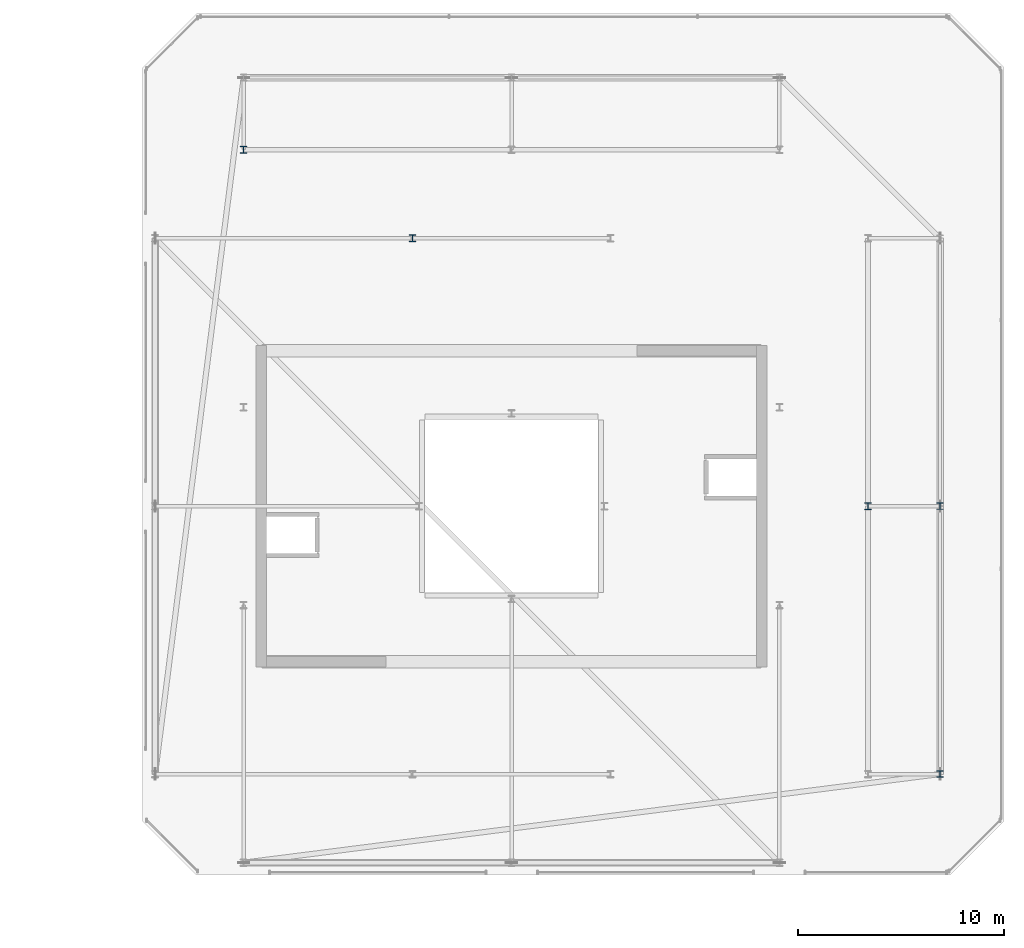
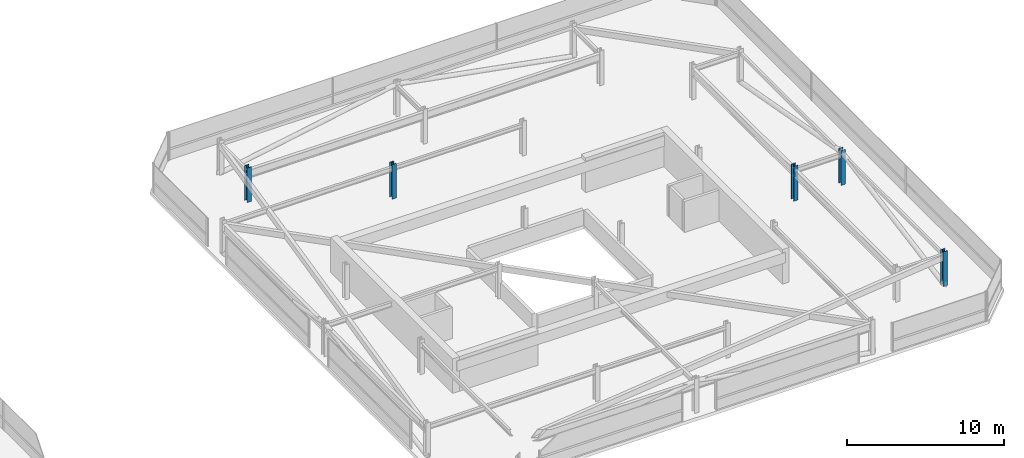
# One storey, part 5 of 42: 5 columns.
"""IFC4 building model written with IfcOpenShell, lengths in metres."""

from ifc_helpers import new_model, si_unit, direction, frame, origin, origin_2d, place, context, subcontext, project, spatial, i_section, extrude, material, material_profile, profile_set, type_object, element, save


model = new_model("IFC4")

# Units and contexts
model_context = context("Model", 3, precision=1e-05, world=origin(), true_north=direction((0.0, 1.0)))
body_context = subcontext(model_context, "Body", "Model", "MODEL_VIEW")
ifc_project = project(units=[si_unit("LENGTHUNIT", "METRE"), si_unit("AREAUNIT", "SQUARE_METRE"), si_unit("VOLUMEUNIT", "CUBIC_METRE"), si_unit("PLANEANGLEUNIT", "RADIAN"), si_unit("MASSUNIT", "GRAM", prefix="KILO")], contexts=[model_context])

# Site, building, storey
site_placement = place(None, origin())
site = spatial("IfcSite", under=ifc_project, at=site_placement, CompositionType="ELEMENT")
building_placement = place(site_placement, origin())
building = spatial("IfcBuilding", under=site, at=building_placement, Name="Thornwick Lancets Civic Towers", CompositionType="ELEMENT")
storey_placement = place(building_placement, frame((0.0, 0.0, 284.10009765625)))
storey = spatial("IfcBuildingStorey", under=building, at=storey_placement, Name="C02", CompositionType="ELEMENT", Elevation=284.10009765625)

# Columns
ifc_material = material(Name="Steel S355JR", Category="steel")
ifc_material_profile_1 = material_profile(ifc_material, i_section(OverallWidth=0.30908203125, OverallDepth=0.320556640625, WebThickness=0.013916015625, FlangeThickness=0.021728515625, FilletRadius=0.01513671875, at=origin_2d()), Name="UKC 305x305x137")
ifc_profile_set_1 = profile_set([ifc_material_profile_1], Name="Steel S355JR")
column_type_1 = type_object("IfcColumnType", Name="COL_UKC_137", PredefinedType="COLUMN", material=ifc_profile_set_1)
for number, where, z_axis, x_axis, name in (
    (1, (109.300048828125, 14.0, 0.0), (0.0, 0.0, 1.0), (1.0, 0.0, 0.0), "C02 Block Perimeter Column B01"),
    (2, (109.300048828125, 27.0, 0.0), (0.0, 0.0, 1.0), (1.0, 0.0, 0.0), "C02 Block Perimeter Column B02"),
):
    element("IfcColumn", number, at=place(storey_placement, frame(where, z_axis=z_axis, x_axis=x_axis)), inside=storey, type_object=column_type_1, Name=name, PredefinedType="COLUMN", context=body_context, shape_type="SweptSolid", body=[
        extrude(i_section(OverallWidth=0.30908203125, OverallDepth=0.320556640625, WebThickness=0.013916015625, FlangeThickness=0.021728515625, FilletRadius=0.01513671875, at=origin_2d()), origin(), (0.0, 0.0, 1.0), 2.699951171875),
    ])
ifc_material_profile_2 = material_profile(ifc_material, i_section(OverallWidth=0.314453125, OverallDepth=0.33984375, WebThickness=0.01904296875, FlangeThickness=0.031494140625, FilletRadius=0.01513671875, at=origin_2d()), Name="UKC 305x305x198")
ifc_profile_set_2 = profile_set([ifc_material_profile_2], Name="Steel S355JR")
column_type_2 = type_object("IfcColumnType", Name="COL_UKC_198", PredefinedType="COLUMN", material=ifc_profile_set_2)
for number, where, z_axis, x_axis, name in (
    (3, (105.800048828125, 27.0, 0.0), (0.0, 0.0, 1.0), (1.0, 0.0, 0.0), "C02 Spine Mega-Column B02"),
    (4, (75.5, 44.300048828125, 0.0), (0.0, 0.0, 1.0), (1.0, 0.0, 0.0), "C02 Spine Mega-Column B06"),
    (5, (83.699951171875, 40.0, 0.0), (0.0, 0.0, 1.0), (1.0, 0.0, 0.0), "C02 Spine Mega-Column B16"),
):
    element("IfcColumn", number, at=place(storey_placement, frame(where, z_axis=z_axis, x_axis=x_axis)), inside=storey, type_object=column_type_2, Name=name, PredefinedType="COLUMN", context=body_context, shape_type="SweptSolid", body=[
        extrude(i_section(OverallWidth=0.314453125, OverallDepth=0.33984375, WebThickness=0.01904296875, FlangeThickness=0.031494140625, FilletRadius=0.01513671875, at=origin_2d()), origin(), (0.0, 0.0, 1.0), 2.699951171875),
    ])

save(model, "model.ifc")
